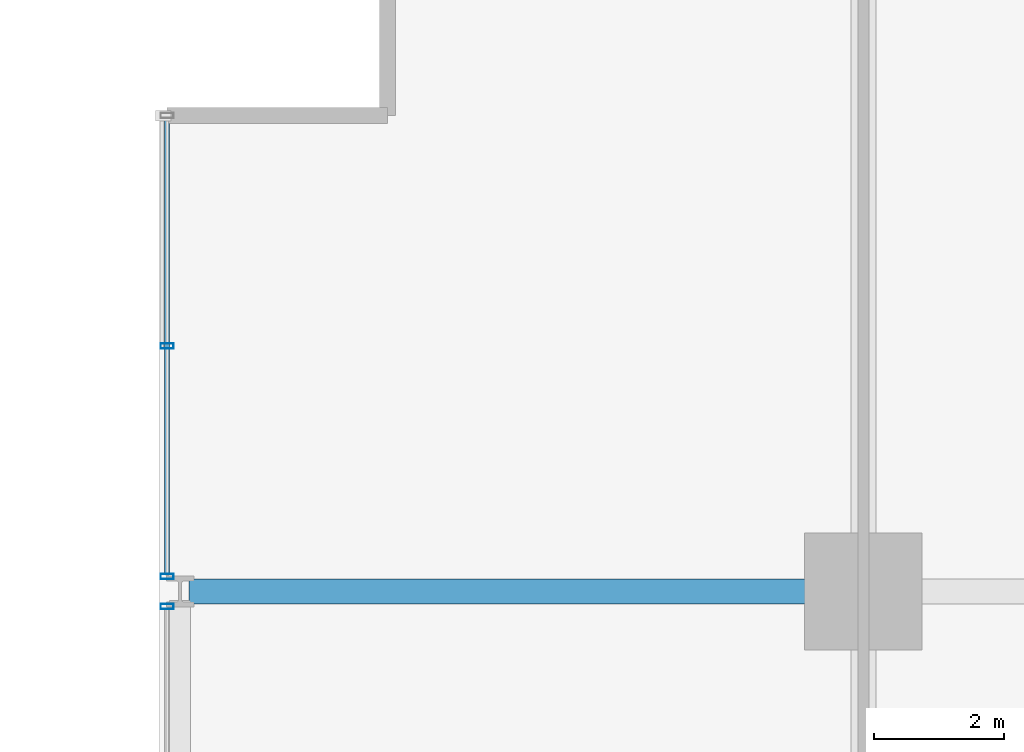
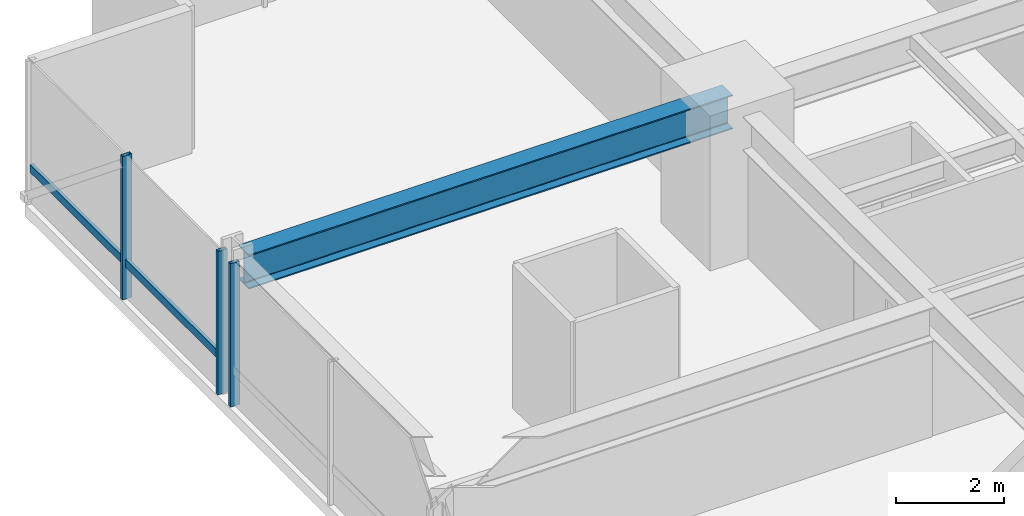
# One storey, part 19 of 38: 4 members, 1 beam, 2 elements without a shape of their own.
"""IFC4 building model written with IfcOpenShell, lengths in metres."""

from ifc_helpers import new_model, si_unit, direction, frame, origin, origin_2d, place, context, subcontext, project, spatial, hollow_rectangle, i_section, extrude, material, layer, layer_set, material_profile, profile_set, type_object, element, aggregate, save


model = new_model("IFC4")

# Units and contexts
model_context = context("Model", 3, precision=1e-05, world=origin(), true_north=direction((0.0, 1.0)))
body_context = subcontext(model_context, "Body", "Model", "MODEL_VIEW")
ifc_project = project(units=[si_unit("LENGTHUNIT", "METRE"), si_unit("AREAUNIT", "SQUARE_METRE"), si_unit("VOLUMEUNIT", "CUBIC_METRE"), si_unit("PLANEANGLEUNIT", "RADIAN"), si_unit("MASSUNIT", "GRAM", prefix="KILO")], contexts=[model_context])

# Site, building, storey
site_placement = place(None, origin())
site = spatial("IfcSite", under=ifc_project, at=site_placement, CompositionType="ELEMENT")
building_placement = place(site_placement, origin())
building = spatial("IfcBuilding", under=site, at=building_placement, Name="Drelvath Grand Hotel", CompositionType="ELEMENT")
storey_placement = place(building_placement, frame((0.0, 0.0, 61.199951171875)))
storey = spatial("IfcBuildingStorey", under=building, at=storey_placement, Name="L14", CompositionType="ELEMENT", Elevation=61.199951171875)

# Curtain wall, member
ifc_material_1 = material(Name="Warm Bronze Anodised Aluminium Frame", Category="aluminium")
ifc_layer = layer(ifc_material_1, 0.199951171875)
ifc_layer_set = layer_set([ifc_layer], Name="Warm Bronze Anodised Aluminium Frame")
curtain_wall_type = type_object("IfcCurtainWallType", Name="Stick Curtain Wall CW-02 Warm Bronze Low-Rise", PredefinedType="NOTDEFINED", material=ifc_layer_set)
curtain_wall_1_placement = place(storey_placement, origin())
curtain_wall_1 = element("IfcCurtainWall", 1, at=curtain_wall_1_placement, inside=storey, type_object=curtain_wall_type, Name="L14 CW-02 Curtain Wall CW02-L14-WN3", PredefinedType="NOTDEFINED")
ifc_material_profile_1 = material_profile(ifc_material_1, hollow_rectangle(XDim=0.074951171875, YDim=0.179931640625, WallThickness=0.0048828125, at=origin_2d()), Name="HSS180X75X5")
ifc_profile_set_1 = profile_set([ifc_material_profile_1], Name="Warm Bronze Anodised Aluminium Frame")
member_type_1 = type_object("IfcMemberType", Name="Curtain Wall Horizontal Transom CW-02 HSS180X75X5", PredefinedType="USERDEFINED", material=ifc_profile_set_1)
member_1_placement = place(storey_placement, frame((-26.8798828125, 43.468994140625, 0.81005859375), z_axis=(0.0, 1.0, 0.0), x_axis=(-1.0, 0.0, 0.0)))
member_1 = element("IfcMember", 2, at=member_1_placement, type_object=member_type_1, Name="CW02-L14-WN3 Sill Transom", ObjectType="TRANSOM", PredefinedType="USERDEFINED", context=body_context, shape_type="SweptSolid", body=[
    extrude(hollow_rectangle(XDim=0.074951171875, YDim=0.179931640625, WallThickness=0.0048828125, at=origin_2d()), origin(), (0.0, 0.0, 1.0), 6.990966796875),
])

curtain_wall_2_placement = place(storey_placement, origin())
curtain_wall_2 = element("IfcCurtainWall", 3, at=curtain_wall_2_placement, inside=storey, type_object=curtain_wall_type, Name="L14 CW-02 Curtain Wall CW02-L14-WN2", PredefinedType="NOTDEFINED")
ifc_material_profile_2 = material_profile(ifc_material_1, hollow_rectangle(XDim=0.080078125, YDim=0.199951171875, WallThickness=0.0048828125, at=origin_2d()), Name="HSS200X80X5")
ifc_profile_set_2 = profile_set([ifc_material_profile_2], Name="Warm Bronze Anodised Aluminium Frame")
member_type_2 = type_object("IfcMemberType", Name="Curtain Wall Vertical Mullion CW-02 HSS200X80X5", PredefinedType="MULLION", material=ifc_profile_set_2)
member_2_placement = place(storey_placement, frame((-26.8798828125, 42.970947265625, 0.0), z_axis=(0.0, 0.0, 1.0), x_axis=(0.0, 1.0, 0.0)))
member_2 = element("IfcMember", 4, at=member_2_placement, type_object=member_type_2, Name="CW02-L14-WN2 Mullion 3", PredefinedType="MULLION", context=body_context, shape_type="SweptSolid", body=[
    extrude(hollow_rectangle(XDim=0.080078125, YDim=0.199951171875, WallThickness=0.0048828125, at=origin_2d()), origin(), (0.0, 0.0, 1.0), 3.239990234375),
])
aggregate(curtain_wall_2, [member_2])

# Member
member_3_placement = place(storey_placement, frame((-26.8798828125, 43.42919921875, 0.0), z_axis=(0.0, 0.0, 1.0), x_axis=(0.0, 1.0, 0.0)))
member_3 = element("IfcMember", 5, at=member_3_placement, type_object=member_type_2, Name="CW02-L14-WN3 Mullion 1", PredefinedType="MULLION", context=body_context, shape_type="SweptSolid", body=[
    extrude(hollow_rectangle(XDim=0.080078125, YDim=0.199951171875, WallThickness=0.0048828125, at=origin_2d()), origin(), (0.0, 0.0, 1.0), 3.239990234375),
])

member_4_placement = place(storey_placement, frame((-26.8798828125, 46.964599609375, 0.0), z_axis=(0.0, 0.0, 1.0), x_axis=(0.0, 1.0, 0.0)))
member_4 = element("IfcMember", 6, at=member_4_placement, type_object=member_type_2, Name="CW02-L14-WN3 Mullion 2", PredefinedType="MULLION", context=body_context, shape_type="SweptSolid", body=[
    extrude(hollow_rectangle(XDim=0.080078125, YDim=0.199951171875, WallThickness=0.0048828125, at=origin_2d()), origin(), (0.0, 0.0, 1.0), 3.239990234375),
])

aggregate(curtain_wall_1, [member_3, member_4, member_1])

# Beam
ifc_material_2 = material(Name="Steel ASTM A992 Gr 50", Category="steel")
ifc_material_profile_3 = material_profile(ifc_material_2, i_section(OverallWidth=0.380615234375, OverallDepth=0.773193359375, WebThickness=0.0166015625, FlangeThickness=0.027099609375, FilletRadius=0.02490234375, at=origin_2d()), Name="W30X173")
ifc_profile_set_3 = profile_set([ifc_material_profile_3], Name="Steel ASTM A992 Gr 50")
beam_type = type_object("IfcBeamType", Name="Primary Floor Girder W30X173", PredefinedType="BEAM", material=ifc_profile_set_3)
beam_placement = place(storey_placement, frame((-26.5400390625, 43.199951171875, 2.853515625), z_axis=(1.0, 0.0, 0.0), x_axis=(0.0, 1.0, 0.0)))
element("IfcBeam", 7, at=beam_placement, inside=storey, type_object=beam_type, Name="L14 West Grid Girder G", PredefinedType="BEAM", context=body_context, shape_type="SweptSolid", body=[
    extrude(i_section(OverallWidth=0.380615234375, OverallDepth=0.773193359375, WebThickness=0.0166015625, FlangeThickness=0.027099609375, FilletRadius=0.02490234375, at=origin_2d()), origin(), (0.0, 0.0, 1.0), 10.340087890625),
])

save(model, "model.ifc")
